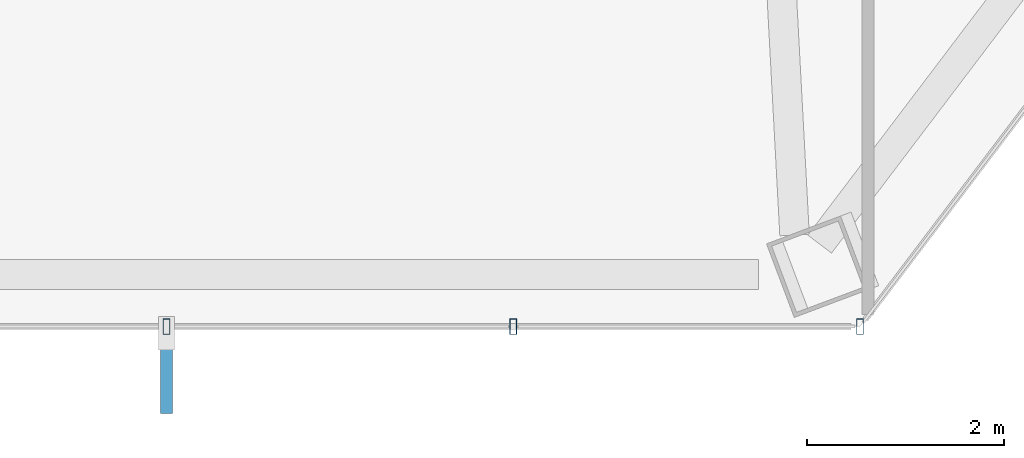
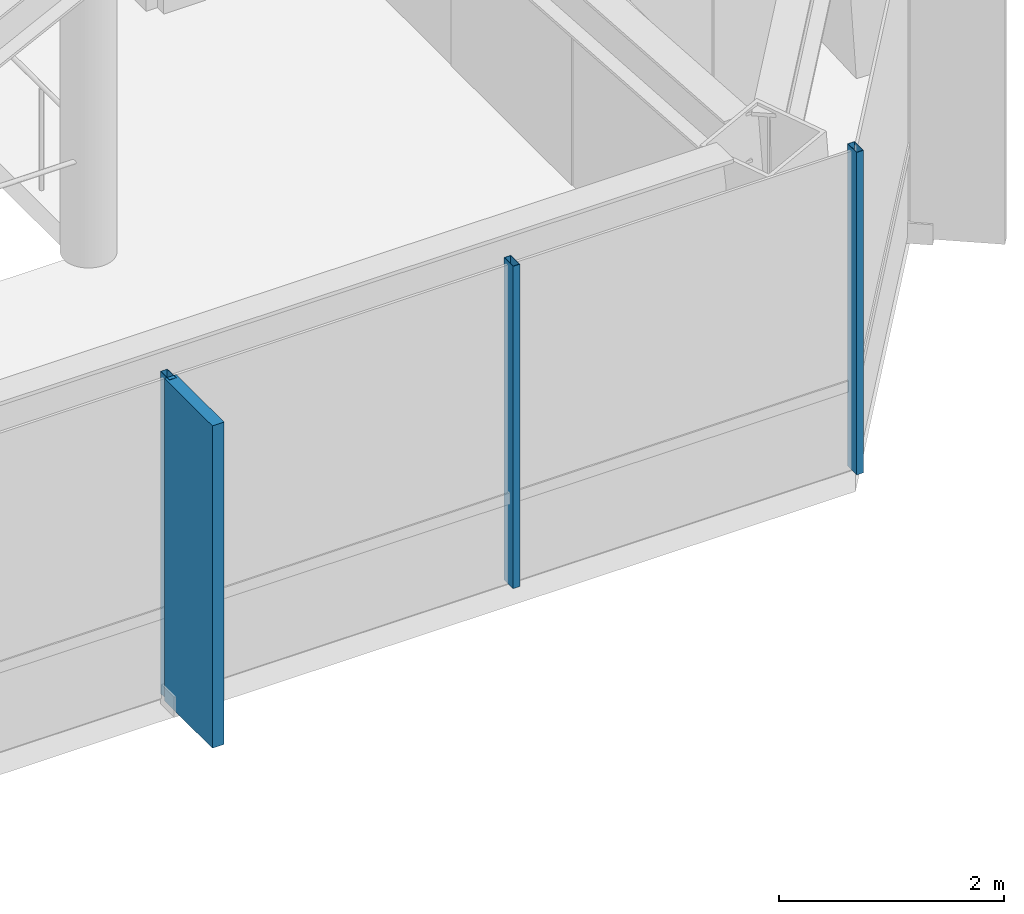
# One storey, part 8 of 30: 4 members, 1 element without a shape of its own.
"""IFC4 building model written with IfcOpenShell, lengths in metres."""

from ifc_helpers import new_model, si_unit, direction, frame, origin, origin_2d, place, context, subcontext, project, spatial, rectangle, hollow_rectangle, extrude, material, layer, layer_set, material_profile, profile_set, type_object, element, aggregate, save


model = new_model("IFC4")

# Units and contexts
model_context = context("Model", 3, precision=1e-05, world=origin(), true_north=direction((0.0, 1.0)))
body_context = subcontext(model_context, "Body", "Model", "MODEL_VIEW")
ifc_project = project(units=[si_unit("LENGTHUNIT", "METRE"), si_unit("AREAUNIT", "SQUARE_METRE"), si_unit("VOLUMEUNIT", "CUBIC_METRE"), si_unit("PLANEANGLEUNIT", "RADIAN"), si_unit("MASSUNIT", "GRAM", prefix="KILO")], contexts=[model_context])

# Site, building, storey
site_placement = place(None, origin())
site = spatial("IfcSite", under=ifc_project, at=site_placement, CompositionType="ELEMENT")
building_placement = place(site_placement, origin())
building = spatial("IfcBuilding", under=site, at=building_placement, Name="Zarrinselat Tower", CompositionType="ELEMENT")
storey_placement = place(building_placement, frame((0.0, 0.0, 130.89990234375)))
storey = spatial("IfcBuildingStorey", under=building, at=storey_placement, Name="L31", CompositionType="ELEMENT", Elevation=130.89990234375)

# Curtain wall, members
ifc_material_1 = material(Name="Extruded Aluminium Alloy EN AW-6063 T6", Category="aluminium")
ifc_layer = layer(ifc_material_1, 0.175048828125)
ifc_layer_set = layer_set([ifc_layer], Name="Extruded Aluminium Alloy EN AW-6063 T6")
curtain_wall_type = type_object("IfcCurtainWallType", Name="CWS-HTL", PredefinedType="NOTDEFINED", material=ifc_layer_set)
curtain_wall_placement = place(storey_placement, origin())
curtain_wall = element("IfcCurtainWall", 1, at=curtain_wall_placement, inside=storey, type_object=curtain_wall_type, Name="L31 Unitised Curtain Wall CW-L31-E04", PredefinedType="NOTDEFINED")
ifc_material_2 = material(Name="Extruded Aluminium Alloy EN AW-6063 T6", Category="aluminium")
ifc_material_profile_1 = material_profile(ifc_material_2, hollow_rectangle(XDim=0.070068359375, YDim=0.159912109375, WallThickness=0.00390625, at=origin_2d()), Name="RHS 160x70x4")
ifc_profile_set_1 = profile_set([ifc_material_profile_1], Name="Extruded Aluminium Alloy EN AW-6063 T6")
member_type_1 = type_object("IfcMemberType", Name="MEM-CW-MUL2", PredefinedType="MULLION", material=ifc_profile_set_1)
member_1_placement = place(storey_placement, frame((40.16357421875, 18.06640625, 0.0), z_axis=(0.0, 0.0, 1.0), x_axis=(1.0, 0.0, 0.0)))
member_1 = element("IfcMember", 2, at=member_1_placement, type_object=member_type_1, Name="CW-L31-E04 Mullion 3", PredefinedType="MULLION", context=body_context, shape_type="SweptSolid", body=[
    extrude(hollow_rectangle(XDim=0.070068359375, YDim=0.159912109375, WallThickness=0.00390625, at=origin_2d()), origin(), (0.0, 0.0, 1.0), 3.5),
])
member_2_placement = place(storey_placement, frame((43.690673828125, 18.06640625, 0.0), z_axis=(0.0, 0.0, 1.0), x_axis=(1.0, 0.0, 0.0)))
member_2 = element("IfcMember", 3, at=member_2_placement, type_object=member_type_1, Name="CW-L31-E04 Mullion 4", PredefinedType="MULLION", context=body_context, shape_type="SweptSolid", body=[
    extrude(hollow_rectangle(XDim=0.070068359375, YDim=0.159912109375, WallThickness=0.00390625, at=origin_2d()), origin(), (0.0, 0.0, 1.0), 3.5),
])
member_3_placement = place(storey_placement, frame((47.218017578125, 18.06640625, 0.0), z_axis=(0.0, 0.0, 1.0), x_axis=(1.0, 0.0, 0.0)))
member_3 = element("IfcMember", 4, at=member_3_placement, type_object=member_type_1, Name="CW-L31-E04 Mullion 5", PredefinedType="MULLION", context=body_context, shape_type="SweptSolid", body=[
    extrude(hollow_rectangle(XDim=0.070068359375, YDim=0.159912109375, WallThickness=0.00390625, at=origin_2d()), origin(), (0.0, 0.0, 1.0), 3.5),
])
ifc_material_3 = material(Name="Honed Cream Travertine Stone", Category="masonry")
ifc_material_profile_2 = material_profile(ifc_material_3, rectangle(XDim=0.1201171875, YDim=0.85009765625, at=origin_2d()), Name="FIN 850x120")
ifc_profile_set_2 = profile_set([ifc_material_profile_2], Name="Honed Cream Travertine Stone")
member_type_2 = type_object("IfcMemberType", Name="MEM-STONE-FIN", PredefinedType="USERDEFINED", material=ifc_profile_set_2)
member_4_placement = place(storey_placement, frame((40.16357421875, 17.606201171875, 0.0), z_axis=(0.0, 0.0, 1.0), x_axis=(-1.0, 0.0, 0.0)))
member_4 = element("IfcMember", 5, at=member_4_placement, type_object=member_type_2, Name="L31 Stone Shading Fin CW-L31-E04-03", ObjectType="FIN", PredefinedType="USERDEFINED", context=body_context, shape_type="SweptSolid", body=[
    extrude(rectangle(XDim=0.1201171875, YDim=0.85009765625, at=origin_2d()), origin(), (0.0, 0.0, 1.0), 3.5),
])
aggregate(curtain_wall, [member_1, member_4, member_2, member_3])

save(model, "model.ifc")
